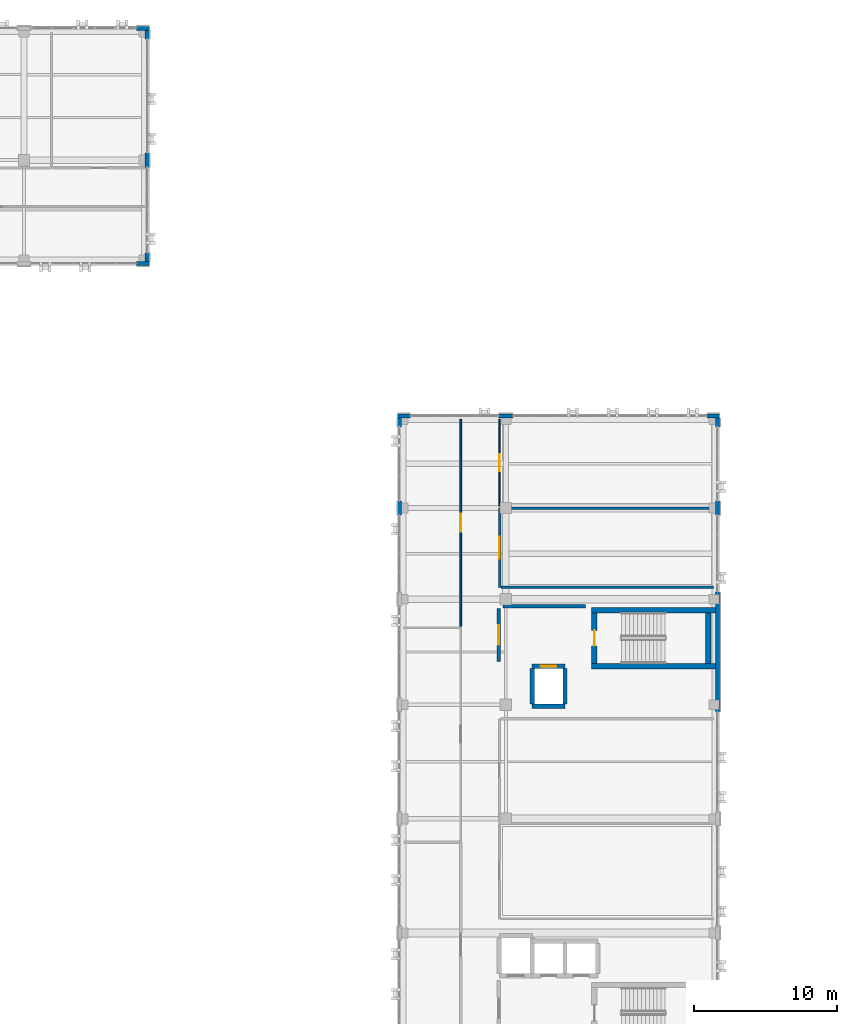
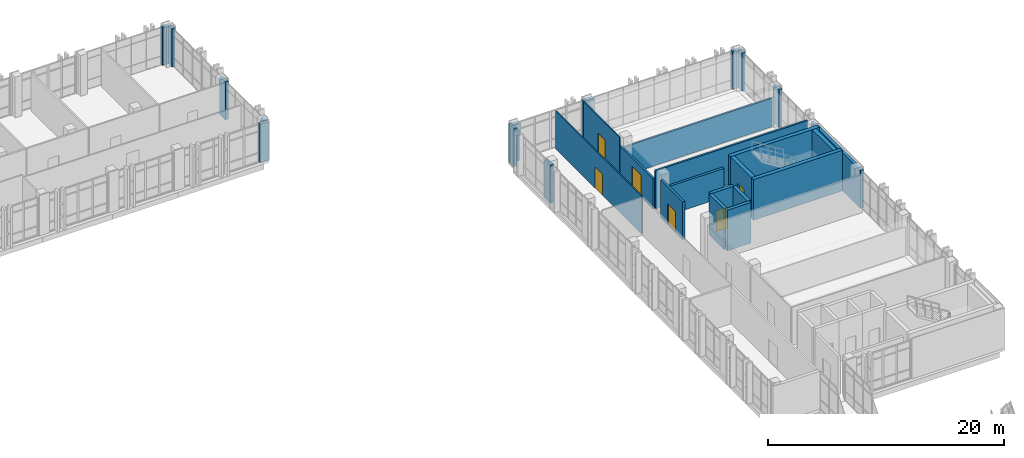
# One storey, part 139 of 165: 28 walls, 6 doors, 6 openings.
"""IFC4 building model written with IfcOpenShell, lengths in metres."""

from ifc_helpers import new_model, si_unit, direction, frame, frame_2d, origin, place, context, subcontext, project, spatial, rectangle, extrude, material, layer, layer_set, type_object, element, fill, save


model = new_model("IFC4")

# Units and contexts
model_context = context("Model", 3, precision=1e-05, world=origin(), true_north=direction((0.0, 1.0)))
body_context = subcontext(model_context, "Body", "Model", "MODEL_VIEW")
ifc_project = project(units=[si_unit("LENGTHUNIT", "METRE"), si_unit("AREAUNIT", "SQUARE_METRE"), si_unit("VOLUMEUNIT", "CUBIC_METRE"), si_unit("PLANEANGLEUNIT", "RADIAN"), si_unit("MASSUNIT", "GRAM", prefix="KILO")], contexts=[model_context])

# Site, building, storey
site_placement = place(None, origin())
site = spatial("IfcSite", under=ifc_project, at=site_placement, CompositionType="ELEMENT")
building_placement = place(site_placement, origin())
building = spatial("IfcBuilding", under=site, at=building_placement, Name="Qalavern Law Courts", CompositionType="ELEMENT")
storey_placement = place(building_placement, frame((0.0, 0.0, 14.39990234375)))
storey = spatial("IfcBuildingStorey", under=building, at=storey_placement, Name="L03", CompositionType="ELEMENT", Elevation=14.39990234375)

# Walls
ifc_material_1 = material(Name="Concrete C40/50", Category="concrete")
ifc_layer_1 = layer(ifc_material_1, 0.294921875)
ifc_layer_set_1 = layer_set([ifc_layer_1], Name="Concrete C40/50")
wall_type_1 = type_object("IfcWallType", Name="ENV-EW-295", PredefinedType="SOLIDWALL", material=ifc_layer_set_1)
wall_1_placement = place(storey_placement, frame((106.652587890625, 64.89990234375, 0.0), z_axis=(0.0, 0.0, 1.0), x_axis=(0.0, 1.0, 0.0)))
element("IfcWall", 1, at=wall_1_placement, inside=storey, type_object=wall_type_1, Name="V4 exterior pier wall L03 east 4", PredefinedType="SOLIDWALL", context=body_context, shape_type="SweptSolid", body=[
    extrude(rectangle(XDim=8.400146484375, YDim=0.294921875, at=frame_2d((4.2001953125, 0.0))), origin(), (0.0, 0.0, 1.0), 3.920166015625),
])
wall_2_placement = place(storey_placement, frame((106.652587890625, 78.699951171875, 0.0), z_axis=(0.0, 0.0, 1.0), x_axis=(0.0, 1.0, 0.0)))
element("IfcWall", 2, at=wall_2_placement, inside=storey, type_object=wall_type_1, Name="V4 exterior pier wall L03 east 5", PredefinedType="SOLIDWALL", context=body_context, shape_type="SweptSolid", body=[
    extrude(rectangle(XDim=1.0, YDim=0.294921875, at=frame_2d((0.5, 0.0))), origin(), (0.0, 0.0, 1.0), 3.920166015625),
])
wall_3_placement = place(storey_placement, frame((106.652587890625, 84.89990234375, 0.0), z_axis=(0.0, 0.0, 1.0), x_axis=(0.0, 1.0, 0.0)))
element("IfcWall", 3, at=wall_3_placement, inside=storey, type_object=wall_type_1, Name="V4 exterior pier wall L03 east 6", PredefinedType="SOLIDWALL", context=body_context, shape_type="SweptSolid", body=[
    extrude(rectangle(XDim=0.610107421875, YDim=0.294921875, at=frame_2d((0.30517578125, 0.0))), origin(), (0.0, 0.0, 1.0), 3.920166015625),
])
wall_4_placement = place(storey_placement, frame((106.800048828125, 85.652587890625, 0.0), z_axis=(0.0, 0.0, 1.0), x_axis=(-1.0, 0.0, 0.0)))
element("IfcWall", 4, at=wall_4_placement, inside=storey, type_object=wall_type_1, Name="V4 exterior pier wall L03 north 1", PredefinedType="SOLIDWALL", context=body_context, shape_type="SweptSolid", body=[
    extrude(rectangle(XDim=0.900146484375, YDim=0.294921875, at=frame_2d((0.4501953125, 0.0))), origin(), (0.0, 0.0, 1.0), 3.920166015625),
])
wall_5_placement = place(storey_placement, frame((92.300048828125, 85.652587890625, 0.0), z_axis=(0.0, 0.0, 1.0), x_axis=(-1.0, 0.0, 0.0)))
element("IfcWall", 5, at=wall_5_placement, inside=storey, type_object=wall_type_1, Name="V4 exterior pier wall L03 north 2", PredefinedType="SOLIDWALL", context=body_context, shape_type="SweptSolid", body=[
    extrude(rectangle(XDim=1.0, YDim=0.294921875, at=frame_2d((0.5, 0.0))), origin(), (0.0, 0.0, 1.0), 3.920166015625),
])
wall_6_placement = place(storey_placement, frame((85.10009765625, 85.652587890625, 0.0), z_axis=(0.0, 0.0, 1.0), x_axis=(-1.0, 0.0, 0.0)))
element("IfcWall", 6, at=wall_6_placement, inside=storey, type_object=wall_type_1, Name="V4 exterior pier wall L03 north 3", PredefinedType="SOLIDWALL", context=body_context, shape_type="SweptSolid", body=[
    extrude(rectangle(XDim=0.900146484375, YDim=0.294921875, at=frame_2d((0.4501953125, 0.0))), origin(), (0.0, 0.0, 1.0), 3.920166015625),
])
wall_7_placement = place(storey_placement, frame((84.347412109375, 85.510009765625, 0.0), z_axis=(0.0, 0.0, 1.0), x_axis=(0.0, -1.0, 0.0)))
element("IfcWall", 7, at=wall_7_placement, inside=storey, type_object=wall_type_1, Name="V4 exterior pier wall L03 west 1", PredefinedType="SOLIDWALL", context=body_context, shape_type="SweptSolid", body=[
    extrude(rectangle(XDim=0.610107421875, YDim=0.294921875, at=frame_2d((0.30517578125, 0.0))), origin(), (0.0, 0.0, 1.0), 3.920166015625),
])
wall_8_placement = place(storey_placement, frame((84.347412109375, 79.699951171875, 0.0), z_axis=(0.0, 0.0, 1.0), x_axis=(0.0, -1.0, 0.0)))
element("IfcWall", 8, at=wall_8_placement, inside=storey, type_object=wall_type_1, Name="V4 exterior pier wall L03 west 2", PredefinedType="SOLIDWALL", context=body_context, shape_type="SweptSolid", body=[
    extrude(rectangle(XDim=1.0, YDim=0.294921875, at=frame_2d((0.5, 0.0))), origin(), (0.0, 0.0, 1.0), 3.920166015625),
])
wall_9_placement = place(storey_placement, frame((65.89990234375, 96.347412109375, 0.0), z_axis=(0.0, 0.0, 1.0), x_axis=(1.0, 0.0, 0.0)))
element("IfcWall", 9, at=wall_9_placement, inside=storey, type_object=wall_type_1, Name="V5 exterior pier wall L03 south 7", PredefinedType="SOLIDWALL", context=body_context, shape_type="SweptSolid", body=[
    extrude(rectangle(XDim=0.900146484375, YDim=0.294921875, at=frame_2d((0.4501953125, 0.0))), origin(), (0.0, 0.0, 1.0), 3.920166015625),
])
wall_10_placement = place(storey_placement, frame((66.652587890625, 96.489990234375, 0.0), z_axis=(0.0, 0.0, 1.0), x_axis=(0.0, 1.0, 0.0)))
element("IfcWall", 10, at=wall_10_placement, inside=storey, type_object=wall_type_1, Name="V5 exterior pier wall L03 east 1", PredefinedType="SOLIDWALL", context=body_context, shape_type="SweptSolid", body=[
    extrude(rectangle(XDim=0.610107421875, YDim=0.294921875, at=frame_2d((0.30517578125, 0.0))), origin(), (0.0, 0.0, 1.0), 3.920166015625),
])
wall_11_placement = place(storey_placement, frame((66.652587890625, 103.10009765625, 0.0), z_axis=(0.0, 0.0, 1.0), x_axis=(0.0, 1.0, 0.0)))
element("IfcWall", 11, at=wall_11_placement, inside=storey, type_object=wall_type_1, Name="V5 exterior pier wall L03 east 2", PredefinedType="SOLIDWALL", context=body_context, shape_type="SweptSolid", body=[
    extrude(rectangle(XDim=1.0, YDim=0.294921875, at=frame_2d((0.5, 0.0))), origin(), (0.0, 0.0, 1.0), 3.920166015625),
])
wall_12_placement = place(storey_placement, frame((66.652587890625, 112.10009765625, 0.0), z_axis=(0.0, 0.0, 1.0), x_axis=(0.0, 1.0, 0.0)))
element("IfcWall", 12, at=wall_12_placement, inside=storey, type_object=wall_type_1, Name="V5 exterior pier wall L03 east 3", PredefinedType="SOLIDWALL", context=body_context, shape_type="SweptSolid", body=[
    extrude(rectangle(XDim=0.60986328125, YDim=0.294921875, at=frame_2d((0.304931640625, 0.0))), origin(), (0.0, 0.0, 1.0), 3.920166015625),
])
wall_13_placement = place(storey_placement, frame((66.800048828125, 112.8525390625, 0.0), z_axis=(0.0, 0.0, 1.0), x_axis=(-1.0, 0.0, 0.0)))
element("IfcWall", 13, at=wall_13_placement, inside=storey, type_object=wall_type_1, Name="V5 exterior pier wall L03 north 1", PredefinedType="SOLIDWALL", context=body_context, shape_type="SweptSolid", body=[
    extrude(rectangle(XDim=0.900146484375, YDim=0.294921875, at=frame_2d((0.4501953125, 0.0))), origin(), (0.0, 0.0, 1.0), 3.920166015625),
])
ifc_material_2 = material(Name="Concrete C45/55", Category="concrete")
ifc_layer_2 = layer(ifc_material_2, 0.375)
ifc_layer_set_2 = layer_set([ifc_layer_2], Name="Concrete C45/55")
wall_type_2 = type_object("IfcWallType", Name="INT-CW-375", PredefinedType="SHEAR", material=ifc_layer_set_2)
wall_14_placement = place(storey_placement, frame((97.824951171875, 68.112548828125, 0.0), z_axis=(0.0, 0.0, 1.0), x_axis=(1.0, 0.0, 0.0)))
element("IfcWall", 14, at=wall_14_placement, inside=storey, type_object=wall_type_2, Name="Core K1B stair shear wall L03 south", PredefinedType="SHEAR", context=body_context, shape_type="SweptSolid", body=[
    extrude(rectangle(XDim=8.677001953125, YDim=0.375, at=frame_2d((4.33837890625, 0.0))), origin(), (0.0, 0.0, 1.0), 4.2001953125),
])
wall_15_placement = place(storey_placement, frame((105.987548828125, 68.300048828125, 0.0), z_axis=(0.0, 0.0, 1.0), x_axis=(0.0, 1.0, 0.0)))
element("IfcWall", 15, at=wall_15_placement, inside=storey, type_object=wall_type_2, Name="Core K1B stair shear wall L03 east", PredefinedType="SHEAR", context=body_context, shape_type="SweptSolid", body=[
    extrude(rectangle(XDim=3.550048828125, YDim=0.375, at=frame_2d((1.77490234375, 0.0))), origin(), (0.0, 0.0, 1.0), 4.2001953125),
])
wall_16_placement = place(storey_placement, frame((106.501953125, 72.03759765625, 0.0), z_axis=(0.0, 0.0, 1.0), x_axis=(-1.0, 0.0, 0.0)))
element("IfcWall", 16, at=wall_16_placement, inside=storey, type_object=wall_type_2, Name="Core K1B stair shear wall L03 north", PredefinedType="SHEAR", context=body_context, shape_type="SweptSolid", body=[
    extrude(rectangle(XDim=8.677001953125, YDim=0.375, at=frame_2d((4.33837890625, 0.0))), origin(), (0.0, 0.0, 1.0), 4.2001953125),
])

# Wall, opening, door
wall_17_placement = place(storey_placement, frame((98.012451171875, 71.85009765625, 0.0), z_axis=(0.0, 0.0, 1.0), x_axis=(0.0, -1.0, 0.0)))
wall_17 = element("IfcWall", 17, at=wall_17_placement, inside=storey, type_object=wall_type_2, Name="Core K1B stair shear wall L03 west", PredefinedType="SHEAR", context=body_context, shape_type="SweptSolid", body=[
    extrude(rectangle(XDim=3.550048828125, YDim=0.375, at=frame_2d((1.77490234375, 0.0))), origin(), (0.0, 0.0, 1.0), 4.2001953125),
])
opening_1_placement = place(wall_17_placement, frame((1.22509765625, 0.0, 0.0)))
opening_1 = element("IfcOpeningElement", 18, at=opening_1_placement, cuts=wall_17, Name="Opening L03-D035", PredefinedType="OPENING", context=body_context, shape_type="SweptSolid", body=[
    extrude(rectangle(XDim=1.10009765625, YDim=2.14990234375, at=frame_2d((0.550048828125, 1.074951171875))), frame((0.0, 0.202392578125, 0.0), z_axis=(0.0, -1.0, 0.0), x_axis=(1.0, 0.0, 0.0)), (0.0, 0.0, 1.0), 0.40478515625),
])
ifc_material_3 = material(Name="Steel fire-rated stair enclosure door", Category="steel")
door_type_1 = type_object("IfcDoorType", Name="INT-FD-1100x2150", OperationType="NOTDEFINED", PredefinedType="DOOR", material=ifc_material_3)
door_1_placement = place(opening_1_placement, frame((1.10009765625, 0.0, 0.0), z_axis=(0.0, 0.0, 1.0), x_axis=(-1.0, 0.0, 0.0)))
door_1 = element("IfcDoor", 19, at=door_1_placement, inside=storey, type_object=door_type_1, Name="Stair K1B fire door L03", OperationType="SINGLE_SWING_RIGHT", OverallHeight=2.14990234375, OverallWidth=1.10009765625, PredefinedType="DOOR", context=body_context, shape_type="SweptSolid", body=[
    extrude(rectangle(XDim=1.10009765625, YDim=2.14990234375, at=frame_2d((0.550048828125, 1.074951171875))), frame((0.0, 0.02490234375, 0.0), z_axis=(0.0, -1.0, 0.0), x_axis=(1.0, 0.0, 0.0)), (0.0, 0.0, 1.0), 0.050048828125),
])
fill(opening_1, door_1)

ifc_layer_3 = layer(ifc_material_1, 0.2451171875)
ifc_layer_set_3 = layer_set([ifc_layer_3], Name="Concrete C40/50")
wall_type_3 = type_object("IfcWallType", Name="INT-FW-245", PredefinedType="PARTITIONING", material=ifc_layer_set_3)
wall_18_placement = place(storey_placement, frame((91.300048828125, 68.449951171875, 0.0), z_axis=(0.0, 0.0, 1.0), x_axis=(0.0, 1.0, 0.0)))
wall_18 = element("IfcWall", 20, at=wall_18_placement, inside=storey, type_object=wall_type_3, Name="Core K1B firefighting/stair lobby fire wall L03", PredefinedType="PARTITIONING", context=body_context, shape_type="SweptSolid", body=[
    extrude(rectangle(XDim=3.699951171875, YDim=0.2451171875, at=frame_2d((1.85009765625, 0.0))), origin(), (0.0, 0.0, 1.0), 3.920166015625),
])
opening_2_placement = place(wall_18_placement, frame((1.175048828125, 0.0, 0.0)))
opening_2 = element("IfcOpeningElement", 21, at=opening_2_placement, cuts=wall_18, Name="Opening L03-D036", PredefinedType="OPENING", context=body_context, shape_type="SweptSolid", body=[
    extrude(rectangle(XDim=1.35009765625, YDim=2.199951171875, at=frame_2d((0.675048828125, 1.10009765625))), frame((0.0, 0.137451171875, 0.0), z_axis=(0.0, -1.0, 0.0), x_axis=(1.0, 0.0, 0.0)), (0.0, 0.0, 1.0), 0.27490234375),
])
ifc_material_4 = material(Name="Steel fire-rated frame and acoustic timber leaves", Category="steel")
door_type_2 = type_object("IfcDoorType", Name="INT-FD-1350x2200", OperationType="DOUBLE_DOOR_SINGLE_SWING", PredefinedType="DOOR", material=ifc_material_4)
door_2_placement = place(opening_2_placement, origin())
door_2 = element("IfcDoor", 22, at=door_2_placement, inside=storey, type_object=door_type_2, Name="Core K1B lobby fire door L03", OperationType="DOUBLE_DOOR_SINGLE_SWING", OverallHeight=2.199951171875, OverallWidth=1.35009765625, PredefinedType="DOOR", context=body_context, shape_type="SweptSolid", body=[
    extrude(rectangle(XDim=1.35009765625, YDim=2.199951171875, at=frame_2d((0.675048828125, 1.10009765625))), frame((0.0, 0.02490234375, 0.0), z_axis=(0.0, -1.0, 0.0), x_axis=(1.0, 0.0, 0.0)), (0.0, 0.0, 1.0), 0.050048828125),
])
fill(opening_2, door_2)

# Wall
wall_19_placement = place(storey_placement, frame((91.60009765625, 72.300048828125, 0.0), z_axis=(0.0, 0.0, 1.0), x_axis=(1.0, 0.0, 0.0)))
element("IfcWall", 23, at=wall_19_placement, inside=storey, type_object=wall_type_3, Name="Core K1B lobby return wall L03 north", PredefinedType="PARTITIONING", context=body_context, shape_type="SweptSolid", body=[
    extrude(rectangle(XDim=5.7998046875, YDim=0.2451171875, at=frame_2d((2.89990234375, 0.0))), origin(), (0.0, 0.0, 1.0), 2.9501953125),
])

# Wall, opening, door
ifc_material_5 = material(Name="Gypsum shaft/chase partition")
ifc_layer_4 = layer(ifc_material_5, 0.092041015625)
ifc_layer_set_4 = layer_set([ifc_layer_4], Name="Gypsum shaft/chase partition")
wall_type_4 = type_object("IfcWallType", Name="INT-PW-092", PredefinedType="PARTITIONING", material=ifc_layer_set_4)
wall_20_placement = place(storey_placement, frame((91.360107421875, 79.31494140625, 0.0), z_axis=(0.0, 0.0, 1.0), x_axis=(0.0, 1.0, 0.0)))
wall_20 = element("IfcWall", 24, at=wall_20_placement, inside=storey, type_object=wall_type_4, Name="Civil Courtroom corridor partition L03", PredefinedType="PARTITIONING", context=body_context, shape_type="SweptSolid", body=[
    extrude(rectangle(XDim=6.10498046875, YDim=0.092041015625, at=frame_2d((3.052490234375, 0.0))), origin(), (0.0, 0.0, 1.0), 3.920166015625),
])
opening_3_placement = place(wall_20_placement, frame((2.46240234375, 0.0, 0.0)))
opening_3 = element("IfcOpeningElement", 25, at=opening_3_placement, cuts=wall_20, Name="Opening L03-D284", PredefinedType="OPENING", context=body_context, shape_type="SweptSolid", body=[
    extrude(rectangle(XDim=1.179931640625, YDim=2.159912109375, at=frame_2d((0.58984375, 1.080078125))), frame((0.0, 0.06103515625, 0.0), z_axis=(0.0, -1.0, 0.0), x_axis=(1.0, 0.0, 0.0)), (0.0, 0.0, 1.0), 0.121826171875),
])
ifc_material_6 = material(Name="Acoustic oak Jury Deliberation door")
door_type_3 = type_object("IfcDoorType", Name="INT-ID-1180x2160", OperationType="NOTDEFINED", PredefinedType="DOOR", material=ifc_material_6)
door_3_placement = place(opening_3_placement, origin())
door_3 = element("IfcDoor", 26, at=door_3_placement, inside=storey, type_object=door_type_3, Name="Civil Courtroom door L03", OperationType="SINGLE_SWING_LEFT", OverallHeight=2.159912109375, OverallWidth=1.179931640625, PredefinedType="DOOR", context=body_context, shape_type="SweptSolid", body=[
    extrude(rectangle(XDim=1.179931640625, YDim=2.159912109375, at=frame_2d((0.58984375, 1.080078125))), frame((0.0, 0.02490234375, 0.0), z_axis=(0.0, -1.0, 0.0), x_axis=(1.0, 0.0, 0.0)), (0.0, 0.0, 1.0), 0.050048828125),
])
fill(opening_3, door_3)

ifc_material_7 = material(Name="Gypsum stud partition")
ifc_layer_5 = layer(ifc_material_7, 0.112060546875)
ifc_layer_set_5 = layer_set([ifc_layer_5], Name="Gypsum stud partition")
wall_type_5 = type_object("IfcWallType", Name="INT-PW-112", PredefinedType="PARTITIONING", material=ifc_layer_set_5)
wall_21_placement = place(storey_placement, frame((88.639892578125, 70.924072265625, 0.0), z_axis=(0.0, 0.0, 1.0), x_axis=(0.0, 1.0, 0.0)))
wall_21 = element("IfcWall", 27, at=wall_21_placement, inside=storey, type_object=wall_type_5, Name="Mediation Suite corridor partition L03", PredefinedType="PARTITIONING", context=body_context, shape_type="SweptSolid", body=[
    extrude(rectangle(XDim=14.495849609375, YDim=0.112060546875, at=frame_2d((7.248046875, 0.0))), origin(), (0.0, 0.0, 1.0), 3.920166015625),
])
opening_4_placement = place(wall_21_placement, frame((6.60791015625, 0.0, 0.0)))
opening_4 = element("IfcOpeningElement", 28, at=opening_4_placement, cuts=wall_21, Name="Opening L03-D280", PredefinedType="OPENING", context=body_context, shape_type="SweptSolid", body=[
    extrude(rectangle(XDim=1.280029296875, YDim=2.179931640625, at=frame_2d((0.64013671875, 1.08984375))), frame((0.0, 0.07080078125, 0.0), z_axis=(0.0, -1.0, 0.0), x_axis=(1.0, 0.0, 0.0)), (0.0, 0.0, 1.0), 0.141845703125),
])
ifc_material_8 = material(Name="Wide oak Judicial Conference door")
door_type_4 = type_object("IfcDoorType", Name="INT-ID-1280x2180", OperationType="NOTDEFINED", PredefinedType="DOOR", material=ifc_material_8)
door_4_placement = place(opening_4_placement, frame((1.280029296875, 0.0, 0.0), z_axis=(0.0, 0.0, 1.0), x_axis=(-1.0, 0.0, 0.0)))
door_4 = element("IfcDoor", 29, at=door_4_placement, inside=storey, type_object=door_type_4, Name="Mediation Suite door L03", OperationType="SINGLE_SWING_RIGHT", OverallHeight=2.179931640625, OverallWidth=1.280029296875, PredefinedType="DOOR", context=body_context, shape_type="SweptSolid", body=[
    extrude(rectangle(XDim=1.280029296875, YDim=2.179931640625, at=frame_2d((0.64013671875, 1.08984375))), frame((0.0, 0.02490234375, 0.0), z_axis=(0.0, -1.0, 0.0), x_axis=(1.0, 0.0, 0.0)), (0.0, 0.0, 1.0), 0.050048828125),
])
fill(opening_4, door_4)

ifc_material_9 = material(Name="Gypsum acoustic stud partition")
ifc_layer_6 = layer(ifc_material_9, 0.174072265625)
ifc_layer_set_6 = layer_set([ifc_layer_6], Name="Gypsum acoustic stud partition")
wall_type_6 = type_object("IfcWallType", Name="INT-PW-174", PredefinedType="PARTITIONING", material=ifc_layer_set_6)
wall_22_placement = place(storey_placement, frame((91.360107421875, 73.639892578125, 0.0), z_axis=(0.0, 0.0, 1.0), x_axis=(0.0, 1.0, 0.0)))
wall_22 = element("IfcWall", 30, at=wall_22_placement, inside=storey, type_object=wall_type_6, Name="Commercial Courtroom corridor partition L03", PredefinedType="PARTITIONING", context=body_context, shape_type="SweptSolid", body=[
    extrude(rectangle(XDim=5.55517578125, YDim=0.174072265625, at=frame_2d((2.777587890625, 0.0))), origin(), (0.0, 0.0, 1.0), 3.150146484375),
])
opening_5_placement = place(wall_22_placement, frame((2.00244140625, 0.0, 0.0)))
opening_5 = element("IfcOpeningElement", 31, at=opening_5_placement, cuts=wall_22, Name="Opening L03-D283", PredefinedType="OPENING", context=body_context, shape_type="SweptSolid", body=[
    extrude(rectangle(XDim=1.550048828125, YDim=2.280029296875, at=frame_2d((0.77490234375, 1.14013671875))), frame((0.0, 0.10205078125, 0.0), z_axis=(0.0, -1.0, 0.0), x_axis=(1.0, 0.0, 0.0)), (0.0, 0.0, 1.0), 0.203857421875),
])
ifc_material_10 = material(Name="Acoustic oak double Civil Courtroom door")
door_type_5 = type_object("IfcDoorType", Name="INT-ID-1550x2280", OperationType="DOUBLE_DOOR_SINGLE_SWING", PredefinedType="DOOR", material=ifc_material_10)
door_5_placement = place(opening_5_placement, origin())
door_5 = element("IfcDoor", 32, at=door_5_placement, inside=storey, type_object=door_type_5, Name="Commercial Courtroom door L03", OperationType="DOUBLE_DOOR_SINGLE_SWING", OverallHeight=2.280029296875, OverallWidth=1.550048828125, PredefinedType="DOOR", context=body_context, shape_type="SweptSolid", body=[
    extrude(rectangle(XDim=1.550048828125, YDim=2.280029296875, at=frame_2d((0.77490234375, 1.14013671875))), frame((0.0, 0.02490234375, 0.0), z_axis=(0.0, -1.0, 0.0), x_axis=(1.0, 0.0, 0.0)), (0.0, 0.0, 1.0), 0.050048828125),
])
fill(opening_5, door_5)

# Walls
wall_23_placement = place(storey_placement, frame((91.467041015625, 73.639892578125, 0.0), z_axis=(0.0, 0.0, 1.0), x_axis=(1.0, 0.0, 0.0)))
element("IfcWall", 33, at=wall_23_placement, inside=storey, type_object=wall_type_6, Name="Commercial Courtroom cross partition L03 south", PredefinedType="PARTITIONING", context=body_context, shape_type="SweptSolid", body=[
    extrude(rectangle(XDim=14.89306640625, YDim=0.174072265625, at=frame_2d((7.446533203125, 0.0))), origin(), (0.0, 0.0, 1.0), 3.920166015625),
])
wall_24_placement = place(storey_placement, frame((91.467041015625, 79.195068359375, 0.0), z_axis=(0.0, 0.0, 1.0), x_axis=(1.0, 0.0, 0.0)))
element("IfcWall", 34, at=wall_24_placement, inside=storey, type_object=wall_type_6, Name="Commercial Courtroom cross partition L03 north", PredefinedType="PARTITIONING", context=body_context, shape_type="SweptSolid", body=[
    extrude(rectangle(XDim=14.89306640625, YDim=0.174072265625, at=frame_2d((7.446533203125, 0.0))), origin(), (0.0, 0.0, 1.0), 2.9501953125),
])
ifc_layer_7 = layer(ifc_material_2, 0.304931640625)
ifc_layer_set_7 = layer_set([ifc_layer_7], Name="Concrete C45/55")
wall_type_7 = type_object("IfcWallType", Name="INT-SW-305", PredefinedType="SHEAR", material=ifc_layer_set_7)
wall_25_placement = place(storey_placement, frame((93.6474609375, 65.297607421875, 0.0), z_axis=(0.0, 0.0, 1.0), x_axis=(1.0, 0.0, 0.0)))
element("IfcWall", 35, at=wall_25_placement, inside=storey, type_object=wall_type_7, Name="Lift LF-FF2 shaft wall L03 south", PredefinedType="SHEAR", context=body_context, shape_type="SweptSolid", body=[
    extrude(rectangle(XDim=2.304931640625, YDim=0.304931640625, at=frame_2d((1.15234375, 0.0))), origin(), (0.0, 0.0, 1.0), 4.2001953125),
])
wall_26_placement = place(storey_placement, frame((95.952392578125, 65.449951171875, 0.0), z_axis=(0.0, 0.0, 1.0), x_axis=(0.0, 1.0, 0.0)))
element("IfcWall", 36, at=wall_26_placement, inside=storey, type_object=wall_type_7, Name="Lift LF-FF2 shaft wall L03 east", PredefinedType="SHEAR", context=body_context, shape_type="SweptSolid", body=[
    extrude(rectangle(XDim=2.5, YDim=0.304931640625, at=frame_2d((1.25, 0.0))), origin(), (0.0, 0.0, 1.0), 4.2001953125),
])

# Wall, opening, door
wall_27_placement = place(storey_placement, frame((95.952392578125, 68.1025390625, 0.0), z_axis=(0.0, 0.0, 1.0), x_axis=(-1.0, 0.0, 0.0)))
wall_27 = element("IfcWall", 37, at=wall_27_placement, inside=storey, type_object=wall_type_7, Name="Lift LF-FF2 shaft wall L03 north", PredefinedType="SHEAR", context=body_context, shape_type="SweptSolid", body=[
    extrude(rectangle(XDim=2.304931640625, YDim=0.304931640625, at=frame_2d((1.15234375, 0.0))), origin(), (0.0, 0.0, 1.0), 4.2001953125),
])
opening_6_placement = place(wall_27_placement, frame((0.6025390625, 0.0, 0.0)))
opening_6 = element("IfcOpeningElement", 38, at=opening_6_placement, cuts=wall_27, Name="Opening LD-LF-FF2-L03", PredefinedType="OPENING", context=body_context, shape_type="SweptSolid", body=[
    extrude(rectangle(XDim=1.10009765625, YDim=2.159912109375, at=frame_2d((0.550048828125, 1.080078125))), frame((0.0, 0.16748046875, 0.0), z_axis=(0.0, -1.0, 0.0), x_axis=(1.0, 0.0, 0.0)), (0.0, 0.0, 1.0), 0.334716796875),
])
ifc_material_11 = material(Name="Stainless steel firefighting lift sliding landing door", Category="steel")
door_type_6 = type_object("IfcDoorType", Name="INT-LD-1100x2160", OperationType="DOUBLE_DOOR_SLIDING", PredefinedType="DOOR", material=ifc_material_11)
door_6_placement = place(opening_6_placement, origin())
door_6 = element("IfcDoor", 39, at=door_6_placement, inside=storey, type_object=door_type_6, Name="Lift LF-FF2 sliding landing door L03", OperationType="DOUBLE_DOOR_SLIDING", OverallHeight=2.159912109375, OverallWidth=1.10009765625, PredefinedType="DOOR", context=body_context, shape_type="SweptSolid", body=[
    extrude(rectangle(XDim=1.10009765625, YDim=2.159912109375, at=frame_2d((0.550048828125, 1.080078125))), frame((0.0, 0.02490234375, 0.0), z_axis=(0.0, -1.0, 0.0), x_axis=(1.0, 0.0, 0.0)), (0.0, 0.0, 1.0), 0.050048828125),
])
fill(opening_6, door_6)

# Wall
wall_28_placement = place(storey_placement, frame((93.6474609375, 67.949951171875, 0.0), z_axis=(0.0, 0.0, 1.0), x_axis=(0.0, -1.0, 0.0)))
element("IfcWall", 40, at=wall_28_placement, inside=storey, type_object=wall_type_7, Name="Lift LF-FF2 shaft wall L03 west", PredefinedType="SHEAR", context=body_context, shape_type="SweptSolid", body=[
    extrude(rectangle(XDim=2.5, YDim=0.304931640625, at=frame_2d((1.25, 0.0))), origin(), (0.0, 0.0, 1.0), 4.2001953125),
])

save(model, "model.ifc")
